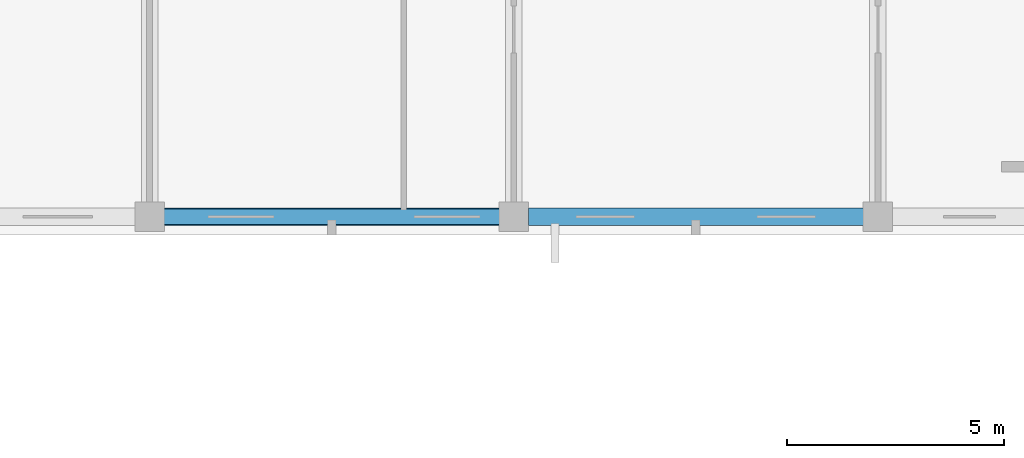
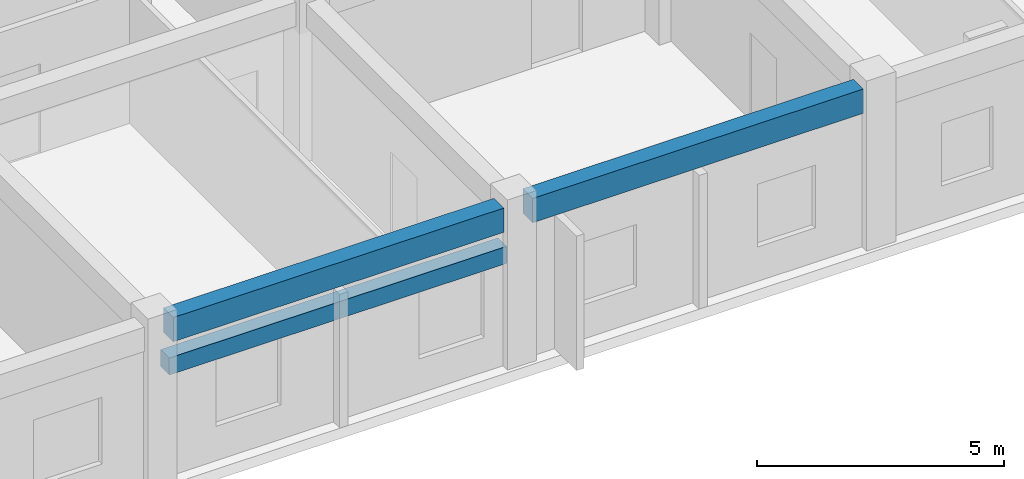
# One storey, part 53 of 140: 3 beams.
"""IFC4 building model written with IfcOpenShell, lengths in metres."""

from ifc_helpers import new_model, si_unit, direction, frame, origin, origin_2d, place, context, subcontext, project, spatial, rectangle, extrude, material, material_profile, profile_set, type_object, element, save


model = new_model("IFC4")

# Units and contexts
model_context = context("Model", 3, precision=1e-05, world=origin(), true_north=direction((0.0, 1.0)))
body_context = subcontext(model_context, "Body", "Model", "MODEL_VIEW")
ifc_project = project(units=[si_unit("LENGTHUNIT", "METRE"), si_unit("AREAUNIT", "SQUARE_METRE"), si_unit("VOLUMEUNIT", "CUBIC_METRE"), si_unit("PLANEANGLEUNIT", "RADIAN"), si_unit("MASSUNIT", "GRAM", prefix="KILO")], contexts=[model_context])

# Site, building, storey
site_placement = place(None, origin())
site = spatial("IfcSite", under=ifc_project, at=site_placement, CompositionType="ELEMENT")
building_placement = place(site_placement, origin())
building = spatial("IfcBuilding", under=site, at=building_placement, Name="Trelvath General Hospital", CompositionType="ELEMENT")
storey_placement = place(building_placement, frame((0.0, 0.0, 16.199951171875)))
storey = spatial("IfcBuildingStorey", under=building, at=storey_placement, Name="L04", CompositionType="ELEMENT", Elevation=16.199951171875)

# Beams
ifc_material_1 = material(Name="Concrete C35/45", Category="concrete")
ifc_material_profile_1 = material_profile(ifc_material_1, rectangle(XDim=0.39990234375, YDim=0.60009765625, at=origin_2d()), Name="RCB400x600")
ifc_profile_set_1 = profile_set([ifc_material_profile_1], Name="Concrete C35/45")
beam_type_1 = type_object("IfcBeamType", Name="Beam RC400x600", PredefinedType="BEAM", material=ifc_profile_set_1)
for number, where, z_axis, x_axis, name in (
    (1, (33.93505859375, 92.39990234375, 3.6201171875), (1.0, 0.0, 0.0), (0.0, 1.0, 0.0), "Grid Beam BX-404L"),
    (2, (42.3349609375, 92.39990234375, 3.6201171875), (1.0, 0.0, 0.0), (0.0, 1.0, 0.0), "Grid Beam BX-405L"),
):
    element("IfcBeam", number, at=place(storey_placement, frame(where, z_axis=z_axis, x_axis=x_axis)), inside=storey, type_object=beam_type_1, Name=name, PredefinedType="BEAM", context=body_context, shape_type="SweptSolid", body=[
        extrude(rectangle(XDim=0.39990234375, YDim=0.60009765625, at=origin_2d()), origin(), (0.0, 0.0, 1.0), 7.72998046875),
    ])
ifc_material_2 = material(Name="Precast concrete C40/50", Category="concrete")
ifc_material_profile_2 = material_profile(ifc_material_2, rectangle(XDim=0.35009765625, YDim=0.419921875, at=origin_2d()), Name="PCL350x420")
ifc_profile_set_2 = profile_set([ifc_material_profile_2], Name="Precast concrete C40/50")
beam_type_2 = type_object("IfcBeamType", Name="Lintel PC350x420", PredefinedType="LINTEL", material=ifc_profile_set_2)
beam_placement = place(storey_placement, frame((41.7451171875, 92.39990234375, 2.719970703125), z_axis=(-1.0, 0.0, 0.0), x_axis=(0.0, -1.0, 0.0)))
element("IfcBeam", 3, at=beam_placement, inside=storey, type_object=beam_type_2, Name="Precast Window Brow Lintel L04-436", PredefinedType="LINTEL", context=body_context, shape_type="SweptSolid", body=[
    extrude(rectangle(XDim=0.35009765625, YDim=0.419921875, at=origin_2d()), origin(), (0.0, 0.0, 1.0), 7.89013671875),
])

save(model, "model.ifc")
